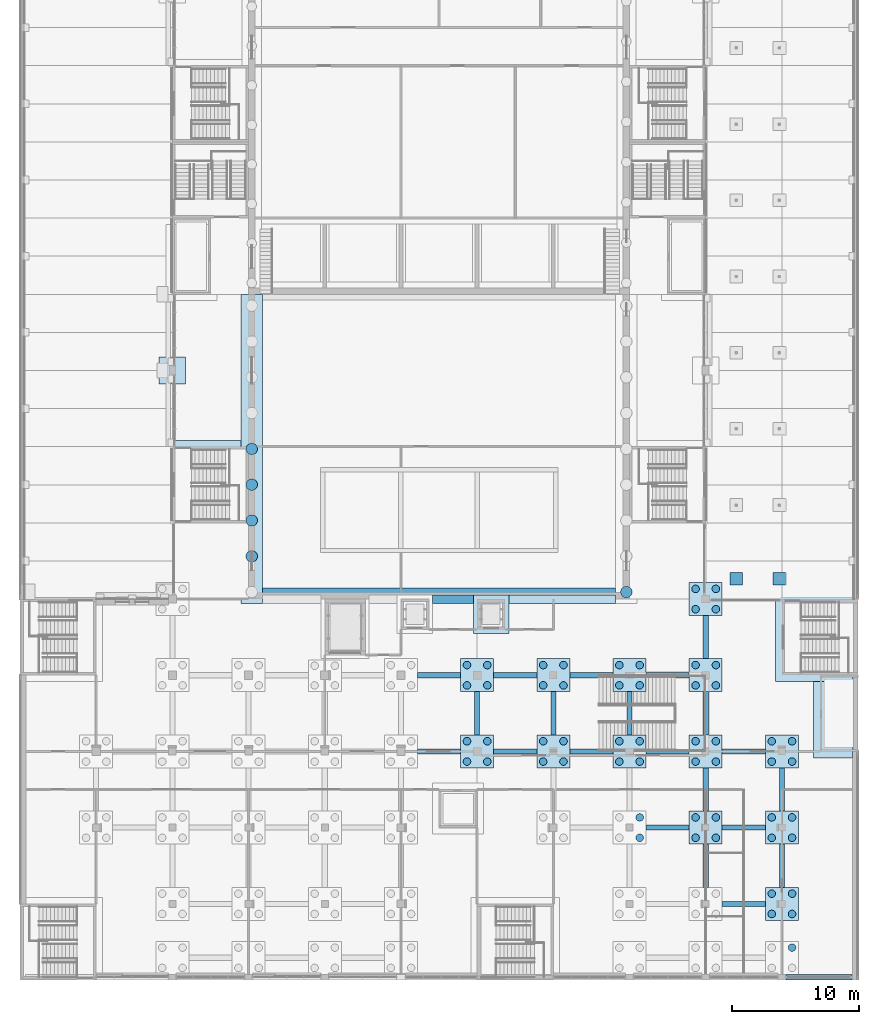
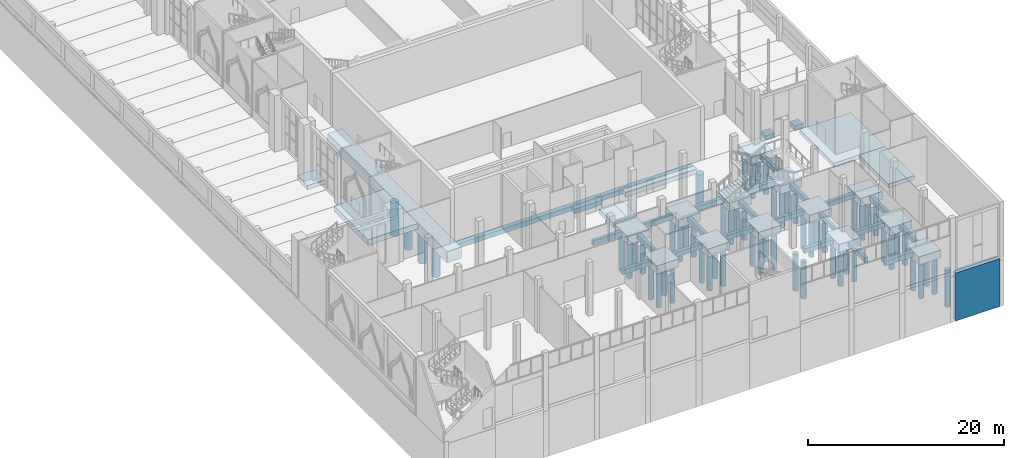
# One storey, part 3 of 95: 60 piles, 46 footings.
"""IFC4 building model written with IfcOpenShell, lengths in metres."""

from ifc_helpers import new_model, si_unit, direction, frame, origin, origin_2d, place, context, subcontext, project, spatial, polyline, rectangle, circle, outline, extrude, material, material_profile, profile_set, type_object, element, save


model = new_model("IFC4")

# Units and contexts
model_context = context("Model", 3, precision=1e-05, world=origin(), true_north=direction((0.0, 1.0)))
body_context = subcontext(model_context, "Body", "Model", "MODEL_VIEW")
ifc_project = project(units=[si_unit("LENGTHUNIT", "METRE"), si_unit("AREAUNIT", "SQUARE_METRE"), si_unit("VOLUMEUNIT", "CUBIC_METRE"), si_unit("PLANEANGLEUNIT", "RADIAN"), si_unit("MASSUNIT", "GRAM", prefix="KILO")], contexts=[model_context])

# Site, building, storey
site_placement = place(None, origin())
site = spatial("IfcSite", under=ifc_project, at=site_placement, CompositionType="ELEMENT")
building_placement = place(site_placement, origin())
building = spatial("IfcBuilding", under=site, at=building_placement, Name="Saffron Lane Theatres", CompositionType="ELEMENT")
storey_placement = place(building_placement, origin())
storey = spatial("IfcBuildingStorey", under=building, at=storey_placement, Name="L00", CompositionType="ELEMENT", Elevation=0.0)

# Footings
ifc_material_1 = material(Name="Concrete N40 (40 MPa)", Category="concrete")
footing_type_1 = type_object("IfcFootingType", Name="FT-CAP 2600x2600x1000", PredefinedType="PILE_CAP", material=ifc_material_1)
footing_1_placement = place(storey_placement, frame((0.0, 0.0, -1.300048828125)))
element("IfcFooting", 1, at=footing_1_placement, inside=storey, type_object=footing_type_1, Name="foot-cap-L2", PredefinedType="PILE_CAP", context=body_context, shape_type="SweptSolid", body=[
    extrude(outline(polyline([(58.699951171875, 4.699951171875), (61.300048828125, 4.699951171875), (61.300048828125, 7.300048828125), (58.699951171875, 7.300048828125), (58.699951171875, 4.699951171875)])), origin(), (0.0, 0.0, 1.0), 1.0),
])
footing_2_placement = place(storey_placement, frame((0.0, 0.0, -1.300048828125)))
element("IfcFooting", 2, at=footing_2_placement, inside=storey, type_object=footing_type_1, Name="foot-cap-K3", PredefinedType="PILE_CAP", context=body_context, shape_type="SweptSolid", body=[
    extrude(outline(polyline([(52.699951171875, 10.699951171875), (55.300048828125, 10.699951171875), (55.300048828125, 13.300048828125), (52.699951171875, 13.300048828125), (52.699951171875, 10.699951171875)])), origin(), (0.0, 0.0, 1.0), 1.0),
])
footing_3_placement = place(storey_placement, frame((0.0, 0.0, -1.300048828125)))
element("IfcFooting", 3, at=footing_3_placement, inside=storey, type_object=footing_type_1, Name="foot-cap-L3", PredefinedType="PILE_CAP", context=body_context, shape_type="SweptSolid", body=[
    extrude(outline(polyline([(58.699951171875, 10.699951171875), (61.300048828125, 10.699951171875), (61.300048828125, 13.300048828125), (58.699951171875, 13.300048828125), (58.699951171875, 10.699951171875)])), origin(), (0.0, 0.0, 1.0), 1.0),
])
footing_4_placement = place(storey_placement, frame((0.0, 0.0, -1.300048828125)))
element("IfcFooting", 4, at=footing_4_placement, inside=storey, type_object=footing_type_1, Name="foot-cap-G4", PredefinedType="PILE_CAP", context=body_context, shape_type="SweptSolid", body=[
    extrude(outline(polyline([(34.699951171875, 16.699951171875), (37.300048828125, 16.699951171875), (37.300048828125, 19.300048828125), (34.699951171875, 19.300048828125), (34.699951171875, 16.699951171875)])), origin(), (0.0, 0.0, 1.0), 1.0),
])
footing_5_placement = place(storey_placement, frame((0.0, 0.0, -1.300048828125)))
element("IfcFooting", 5, at=footing_5_placement, inside=storey, type_object=footing_type_1, Name="foot-cap-H4", PredefinedType="PILE_CAP", context=body_context, shape_type="SweptSolid", body=[
    extrude(outline(polyline([(40.699951171875, 16.699951171875), (43.300048828125, 16.699951171875), (43.300048828125, 19.300048828125), (40.699951171875, 19.300048828125), (40.699951171875, 16.699951171875)])), origin(), (0.0, 0.0, 1.0), 1.0),
])
footing_6_placement = place(storey_placement, frame((0.0, 0.0, -1.300048828125)))
element("IfcFooting", 6, at=footing_6_placement, inside=storey, type_object=footing_type_1, Name="foot-cap-J4", PredefinedType="PILE_CAP", context=body_context, shape_type="SweptSolid", body=[
    extrude(outline(polyline([(46.699951171875, 16.699951171875), (49.300048828125, 16.699951171875), (49.300048828125, 19.300048828125), (46.699951171875, 19.300048828125), (46.699951171875, 16.699951171875)])), origin(), (0.0, 0.0, 1.0), 1.0),
])
footing_7_placement = place(storey_placement, frame((0.0, 0.0, -1.300048828125)))
element("IfcFooting", 7, at=footing_7_placement, inside=storey, type_object=footing_type_1, Name="foot-cap-K4", PredefinedType="PILE_CAP", context=body_context, shape_type="SweptSolid", body=[
    extrude(outline(polyline([(52.699951171875, 16.699951171875), (55.300048828125, 16.699951171875), (55.300048828125, 19.300048828125), (52.699951171875, 19.300048828125), (52.699951171875, 16.699951171875)])), origin(), (0.0, 0.0, 1.0), 1.0),
])
footing_8_placement = place(storey_placement, frame((0.0, 0.0, -1.300048828125)))
element("IfcFooting", 8, at=footing_8_placement, inside=storey, type_object=footing_type_1, Name="foot-cap-L4", PredefinedType="PILE_CAP", context=body_context, shape_type="SweptSolid", body=[
    extrude(outline(polyline([(58.699951171875, 16.699951171875), (61.300048828125, 16.699951171875), (61.300048828125, 19.300048828125), (58.699951171875, 19.300048828125), (58.699951171875, 16.699951171875)])), origin(), (0.0, 0.0, 1.0), 1.0),
])
footing_9_placement = place(storey_placement, frame((0.0, 0.0, -1.300048828125)))
element("IfcFooting", 9, at=footing_9_placement, inside=storey, type_object=footing_type_1, Name="foot-cap-G5", PredefinedType="PILE_CAP", context=body_context, shape_type="SweptSolid", body=[
    extrude(outline(polyline([(34.699951171875, 22.699951171875), (37.300048828125, 22.699951171875), (37.300048828125, 25.300048828125), (34.699951171875, 25.300048828125), (34.699951171875, 22.699951171875)])), origin(), (0.0, 0.0, 1.0), 1.0),
])
footing_10_placement = place(storey_placement, frame((0.0, 0.0, -1.300048828125)))
element("IfcFooting", 10, at=footing_10_placement, inside=storey, type_object=footing_type_1, Name="foot-cap-H5", PredefinedType="PILE_CAP", context=body_context, shape_type="SweptSolid", body=[
    extrude(outline(polyline([(40.699951171875, 22.699951171875), (43.300048828125, 22.699951171875), (43.300048828125, 25.300048828125), (40.699951171875, 25.300048828125), (40.699951171875, 22.699951171875)])), origin(), (0.0, 0.0, 1.0), 1.0),
])
footing_11_placement = place(storey_placement, frame((0.0, 0.0, -1.300048828125)))
element("IfcFooting", 11, at=footing_11_placement, inside=storey, type_object=footing_type_1, Name="foot-cap-J5", PredefinedType="PILE_CAP", context=body_context, shape_type="SweptSolid", body=[
    extrude(outline(polyline([(46.699951171875, 22.699951171875), (49.300048828125, 22.699951171875), (49.300048828125, 25.300048828125), (46.699951171875, 25.300048828125), (46.699951171875, 22.699951171875)])), origin(), (0.0, 0.0, 1.0), 1.0),
])
footing_12_placement = place(storey_placement, frame((0.0, 0.0, -1.300048828125)))
element("IfcFooting", 12, at=footing_12_placement, inside=storey, type_object=footing_type_1, Name="foot-cap-K5", PredefinedType="PILE_CAP", context=body_context, shape_type="SweptSolid", body=[
    extrude(outline(polyline([(52.699951171875, 22.699951171875), (55.300048828125, 22.699951171875), (55.300048828125, 25.300048828125), (52.699951171875, 25.300048828125), (52.699951171875, 22.699951171875)])), origin(), (0.0, 0.0, 1.0), 1.0),
])
footing_13_placement = place(storey_placement, frame((0.0, 0.0, -1.300048828125)))
element("IfcFooting", 13, at=footing_13_placement, inside=storey, type_object=footing_type_1, Name="foot-cap-K6", PredefinedType="PILE_CAP", context=body_context, shape_type="SweptSolid", body=[
    extrude(outline(polyline([(52.699951171875, 28.699951171875), (55.300048828125, 28.699951171875), (55.300048828125, 31.300048828125), (52.699951171875, 31.300048828125), (52.699951171875, 28.699951171875)])), origin(), (0.0, 0.0, 1.0), 1.0),
])
ifc_material_2 = material(Name="Concrete N40 (40 MPa)", Category="concrete")
footing_type_2 = type_object("IfcFootingType", Name="FT-CAP STRIP 1700x1400", PredefinedType="PILE_CAP", material=ifc_material_2)
footing_14_placement = place(storey_placement, frame((0.0, 0.0, -1.699951171875)))
element("IfcFooting", 14, at=footing_14_placement, inside=storey, type_object=footing_type_2, Name="foot-cap-stage-W", PredefinedType="PILE_CAP", context=body_context, shape_type="SweptSolid", body=[
    extrude(outline(polyline([(17.39990234375, 29.64990234375), (19.10009765625, 29.64990234375), (19.10009765625, 54.0), (17.39990234375, 54.0), (17.39990234375, 29.64990234375)])), origin(), (0.0, 0.0, 1.0), 1.39990234375),
])
ifc_material_3 = material(Name="Concrete N40 (40 MPa)", Category="concrete")
footing_type_3 = type_object("IfcFootingType", Name="FT-KERB PERIMETER 450", PredefinedType="STRIP_FOOTING", material=ifc_material_3)
footing_15_placement = place(storey_placement, frame((0.0, 0.0, -6.0)))
element("IfcFooting", 15, at=footing_15_placement, inside=storey, type_object=footing_type_3, Name="Perimeter foundation wall", PredefinedType="STRIP_FOOTING", context=body_context, shape_type="SweptSolid", body=[
    extrude(outline(polyline([(60.304931640625, 0.450439453125), (60.304931640625, 0.00048828125), (65.534912109375, 0.00048828125), (65.534912109375, 0.450439453125), (60.304931640625, 0.450439453125)])), origin(), (0.0, 0.0, 1.0), 6.0),
])
ifc_material_4 = material(Name="Concrete N40 (40 MPa)", Category="concrete")
footing_type_4 = type_object("IfcFootingType", Name="FT-PAD 2100x2100x550", PredefinedType="PAD_FOOTING", material=ifc_material_4)
footing_16_placement = place(storey_placement, frame((0.0, 0.0, -0.85009765625)))
element("IfcFooting", 16, at=footing_16_placement, inside=storey, type_object=footing_type_4, Name="foot-pad-C9", PredefinedType="PAD_FOOTING", context=body_context, shape_type="SweptSolid", body=[
    extrude(outline(polyline([(10.949951171875, 46.949951171875), (13.050048828125, 46.949951171875), (13.050048828125, 49.050048828125), (10.949951171875, 49.050048828125), (10.949951171875, 46.949951171875)])), origin(), (0.0, 0.0, 1.0), 0.550048828125),
])

# Piles
ifc_material_5 = material(Name="Concrete N40 (40 MPa)", Category="concrete")
ifc_material_profile_1 = material_profile(ifc_material_5, circle(Radius=0.300048828125, at=origin_2d()))
ifc_profile_set_1 = profile_set([ifc_material_profile_1], Name="Concrete N40 (40 MPa)")
pile_type_1 = type_object("IfcPileType", Name="FT-PILE BORED 600", PredefinedType="BORED", material=ifc_profile_set_1)
for number, where, z_axis, x_axis, name in (
    (17, (60.800048828125, 2.550537109375, -1.199951171875), (0.0, 0.0, -1.0), (1.0, 0.0, 0.0), "pile-L1-4"),
    (18, (59.199951171875, 5.199951171875, -1.199951171875), (0.0, 0.0, -1.0), (1.0, 0.0, 0.0), "pile-L2-1"),
    (19, (59.199951171875, 6.800048828125, -1.199951171875), (0.0, 0.0, -1.0), (1.0, 0.0, 0.0), "pile-L2-2"),
    (20, (60.800048828125, 5.199951171875, -1.199951171875), (0.0, 0.0, -1.0), (1.0, 0.0, 0.0), "pile-L2-3"),
    (21, (60.800048828125, 6.800048828125, -1.199951171875), (0.0, 0.0, -1.0), (1.0, 0.0, 0.0), "pile-L2-4"),
    (22, (48.800048828125, 11.199951171875, -1.199951171875), (0.0, 0.0, -1.0), (1.0, 0.0, 0.0), "pile-J3-3"),
    (23, (48.800048828125, 12.800048828125, -1.199951171875), (0.0, 0.0, -1.0), (1.0, 0.0, 0.0), "pile-J3-4"),
    (24, (53.199951171875, 11.199951171875, -1.199951171875), (0.0, 0.0, -1.0), (1.0, 0.0, 0.0), "pile-K3-1"),
    (25, (53.199951171875, 12.800048828125, -1.199951171875), (0.0, 0.0, -1.0), (1.0, 0.0, 0.0), "pile-K3-2"),
    (26, (54.800048828125, 11.199951171875, -1.199951171875), (0.0, 0.0, -1.0), (1.0, 0.0, 0.0), "pile-K3-3"),
    (27, (54.800048828125, 12.800048828125, -1.199951171875), (0.0, 0.0, -1.0), (1.0, 0.0, 0.0), "pile-K3-4"),
    (28, (59.199951171875, 11.199951171875, -1.199951171875), (0.0, 0.0, -1.0), (1.0, 0.0, 0.0), "pile-L3-1"),
    (29, (59.199951171875, 12.800048828125, -1.199951171875), (0.0, 0.0, -1.0), (1.0, 0.0, 0.0), "pile-L3-2"),
    (30, (60.800048828125, 11.199951171875, -1.199951171875), (0.0, 0.0, -1.0), (1.0, 0.0, 0.0), "pile-L3-3"),
    (31, (60.800048828125, 12.800048828125, -1.199951171875), (0.0, 0.0, -1.0), (1.0, 0.0, 0.0), "pile-L3-4"),
    (32, (35.199951171875, 17.199951171875, -1.199951171875), (0.0, 0.0, -1.0), (1.0, 0.0, 0.0), "pile-G4-1"),
    (33, (35.199951171875, 18.800048828125, -1.199951171875), (0.0, 0.0, -1.0), (1.0, 0.0, 0.0), "pile-G4-2"),
    (34, (36.800048828125, 17.199951171875, -1.199951171875), (0.0, 0.0, -1.0), (1.0, 0.0, 0.0), "pile-G4-3"),
    (35, (36.800048828125, 18.800048828125, -1.199951171875), (0.0, 0.0, -1.0), (1.0, 0.0, 0.0), "pile-G4-4"),
    (36, (41.199951171875, 17.199951171875, -1.199951171875), (0.0, 0.0, -1.0), (1.0, 0.0, 0.0), "pile-H4-1"),
    (37, (41.199951171875, 18.800048828125, -1.199951171875), (0.0, 0.0, -1.0), (1.0, 0.0, 0.0), "pile-H4-2"),
    (38, (42.800048828125, 17.199951171875, -1.199951171875), (0.0, 0.0, -1.0), (1.0, 0.0, 0.0), "pile-H4-3"),
    (39, (42.800048828125, 18.800048828125, -1.199951171875), (0.0, 0.0, -1.0), (1.0, 0.0, 0.0), "pile-H4-4"),
    (40, (47.199951171875, 17.199951171875, -1.199951171875), (0.0, 0.0, -1.0), (1.0, 0.0, 0.0), "pile-J4-1"),
    (41, (47.199951171875, 18.800048828125, -1.199951171875), (0.0, 0.0, -1.0), (1.0, 0.0, 0.0), "pile-J4-2"),
    (42, (48.800048828125, 17.199951171875, -1.199951171875), (0.0, 0.0, -1.0), (1.0, 0.0, 0.0), "pile-J4-3"),
    (43, (48.800048828125, 18.800048828125, -1.199951171875), (0.0, 0.0, -1.0), (1.0, 0.0, 0.0), "pile-J4-4"),
    (44, (53.199951171875, 17.199951171875, -1.199951171875), (0.0, 0.0, -1.0), (1.0, 0.0, 0.0), "pile-K4-1"),
    (45, (53.199951171875, 18.800048828125, -1.199951171875), (0.0, 0.0, -1.0), (1.0, 0.0, 0.0), "pile-K4-2"),
    (46, (54.800048828125, 17.199951171875, -1.199951171875), (0.0, 0.0, -1.0), (1.0, 0.0, 0.0), "pile-K4-3"),
    (47, (54.800048828125, 18.800048828125, -1.199951171875), (0.0, 0.0, -1.0), (1.0, 0.0, 0.0), "pile-K4-4"),
    (48, (59.199951171875, 17.199951171875, -1.199951171875), (0.0, 0.0, -1.0), (1.0, 0.0, 0.0), "pile-L4-1"),
    (49, (59.199951171875, 18.800048828125, -1.199951171875), (0.0, 0.0, -1.0), (1.0, 0.0, 0.0), "pile-L4-2"),
    (50, (60.800048828125, 17.199951171875, -1.199951171875), (0.0, 0.0, -1.0), (1.0, 0.0, 0.0), "pile-L4-3"),
    (51, (60.800048828125, 18.800048828125, -1.199951171875), (0.0, 0.0, -1.0), (1.0, 0.0, 0.0), "pile-L4-4"),
    (52, (35.199951171875, 23.199951171875, -1.199951171875), (0.0, 0.0, -1.0), (1.0, 0.0, 0.0), "pile-G5-1"),
    (53, (35.199951171875, 24.800048828125, -1.199951171875), (0.0, 0.0, -1.0), (1.0, 0.0, 0.0), "pile-G5-2"),
    (54, (36.800048828125, 23.199951171875, -1.199951171875), (0.0, 0.0, -1.0), (1.0, 0.0, 0.0), "pile-G5-3"),
    (55, (36.800048828125, 24.800048828125, -1.199951171875), (0.0, 0.0, -1.0), (1.0, 0.0, 0.0), "pile-G5-4"),
    (56, (41.199951171875, 23.199951171875, -1.199951171875), (0.0, 0.0, -1.0), (1.0, 0.0, 0.0), "pile-H5-1"),
    (57, (41.199951171875, 24.800048828125, -1.199951171875), (0.0, 0.0, -1.0), (1.0, 0.0, 0.0), "pile-H5-2"),
    (58, (42.800048828125, 23.199951171875, -1.199951171875), (0.0, 0.0, -1.0), (1.0, 0.0, 0.0), "pile-H5-3"),
    (59, (42.800048828125, 24.800048828125, -1.199951171875), (0.0, 0.0, -1.0), (1.0, 0.0, 0.0), "pile-H5-4"),
    (60, (47.199951171875, 23.199951171875, -1.199951171875), (0.0, 0.0, -1.0), (1.0, 0.0, 0.0), "pile-J5-1"),
    (61, (47.199951171875, 24.800048828125, -1.199951171875), (0.0, 0.0, -1.0), (1.0, 0.0, 0.0), "pile-J5-2"),
    (62, (48.800048828125, 23.199951171875, -1.199951171875), (0.0, 0.0, -1.0), (1.0, 0.0, 0.0), "pile-J5-3"),
    (63, (48.800048828125, 24.800048828125, -1.199951171875), (0.0, 0.0, -1.0), (1.0, 0.0, 0.0), "pile-J5-4"),
    (64, (53.199951171875, 23.199951171875, -1.199951171875), (0.0, 0.0, -1.0), (1.0, 0.0, 0.0), "pile-K5-1"),
    (65, (53.199951171875, 24.800048828125, -1.199951171875), (0.0, 0.0, -1.0), (1.0, 0.0, 0.0), "pile-K5-2"),
    (66, (54.800048828125, 23.199951171875, -1.199951171875), (0.0, 0.0, -1.0), (1.0, 0.0, 0.0), "pile-K5-3"),
    (67, (54.800048828125, 24.800048828125, -1.199951171875), (0.0, 0.0, -1.0), (1.0, 0.0, 0.0), "pile-K5-4"),
    (68, (53.199951171875, 29.199951171875, -1.199951171875), (0.0, 0.0, -1.0), (1.0, 0.0, 0.0), "pile-K6-1"),
    (69, (53.199951171875, 30.800048828125, -1.199951171875), (0.0, 0.0, -1.0), (1.0, 0.0, 0.0), "pile-K6-2"),
    (70, (54.800048828125, 29.199951171875, -1.199951171875), (0.0, 0.0, -1.0), (1.0, 0.0, 0.0), "pile-K6-3"),
    (71, (54.800048828125, 30.800048828125, -1.199951171875), (0.0, 0.0, -1.0), (1.0, 0.0, 0.0), "pile-K6-4"),
):
    element("IfcPile", number, at=place(storey_placement, frame(where, z_axis=z_axis, x_axis=x_axis)), inside=storey, type_object=pile_type_1, Name=name, PredefinedType="BORED", context=body_context, shape_type="SweptSolid", body=[
        extrude(circle(Radius=0.300048828125, at=origin_2d()), origin(), (0.0, 0.0, 1.0), 4.60009765625),
    ])
ifc_material_6 = material(Name="Concrete N40 (40 MPa)", Category="concrete")
ifc_material_profile_2 = material_profile(ifc_material_6, circle(Radius=0.449951171875, at=origin_2d()))
ifc_profile_set_2 = profile_set([ifc_material_profile_2], Name="Concrete N40 (40 MPa)")
pile_type_2 = type_object("IfcPileType", Name="FT-PILE BORED 900", PredefinedType="BORED", material=ifc_profile_set_2)
for number, where, z_axis, x_axis, name in (
    (72, (18.25, 33.36865234375, -1.60009765625), (0.0, 0.0, -1.0), (1.0, 0.0, 0.0), "pile-foot-cap-stage-W-2"),
    (73, (18.25, 36.1875, -1.60009765625), (0.0, 0.0, -1.0), (1.0, 0.0, 0.0), "pile-foot-cap-stage-W-3"),
    (74, (18.25, 39.006103515625, -1.60009765625), (0.0, 0.0, -1.0), (1.0, 0.0, 0.0), "pile-foot-cap-stage-W-4"),
    (75, (18.25, 41.824951171875, -1.60009765625), (0.0, 0.0, -1.0), (1.0, 0.0, 0.0), "pile-foot-cap-stage-W-5"),
    (76, (47.75, 30.550048828125, -1.60009765625), (0.0, 0.0, -1.0), (1.0, 0.0, 0.0), "pile-foot-cap-stage-E-1"),
):
    element("IfcPile", number, at=place(storey_placement, frame(where, z_axis=z_axis, x_axis=x_axis)), inside=storey, type_object=pile_type_2, Name=name, PredefinedType="BORED", context=body_context, shape_type="SweptSolid", body=[
        extrude(circle(Radius=0.449951171875, at=origin_2d()), origin(), (0.0, 0.0, 1.0), 4.199951171875),
    ])

# Footings
ifc_material_7 = material(Name="Concrete N40 (40 MPa)", Category="concrete")
footing_type_5 = type_object("IfcFootingType", Name="FT-RAFT CORE 500", PredefinedType="PAD_FOOTING", material=ifc_material_7)
footing_17_placement = place(storey_placement, frame((0.0, 0.0, -0.800048828125)))
element("IfcFooting", 77, at=footing_17_placement, inside=storey, type_object=footing_type_5, Name="foot-raft-4", PredefinedType="PAD_FOOTING", context=body_context, shape_type="SweptSolid", body=[
    extrude(outline(polyline([(62.5, 17.5), (65.549560546875, 17.5), (65.549560546875, 23.5), (62.5, 23.5), (62.5, 17.5)])), origin(), (0.0, 0.0, 1.0), 0.5),
])
footing_18_placement = place(storey_placement, frame((0.0, 0.0, -0.800048828125)))
element("IfcFooting", 78, at=footing_18_placement, inside=storey, type_object=footing_type_5, Name="foot-raft-5", PredefinedType="PAD_FOOTING", context=body_context, shape_type="SweptSolid", body=[
    extrude(outline(polyline([(59.5, 23.5), (65.549560546875, 23.5), (65.549560546875, 30.5), (59.5, 30.5), (59.5, 23.5)])), origin(), (0.0, 0.0, 1.0), 0.5),
])
ifc_material_8 = material(Name="Concrete N40 (40 MPa)", Category="concrete")
footing_type_6 = type_object("IfcFootingType", Name="FT-RAFT CORE 700", PredefinedType="PAD_FOOTING", material=ifc_material_8)
footing_19_placement = place(storey_placement, frame((0.0, 0.0, -1.0)))
element("IfcFooting", 79, at=footing_19_placement, inside=storey, type_object=footing_type_6, Name="foot-raft-7", PredefinedType="PAD_FOOTING", context=body_context, shape_type="SweptSolid", body=[
    extrude(outline(polyline([(11.5, 35.5), (17.39990234375, 35.5), (17.39990234375, 42.5), (11.5, 42.5), (11.5, 35.5)])), origin(), (0.0, 0.0, 1.0), 0.699951171875),
])
ifc_material_9 = material(Name="Concrete N40 (40 MPa)", Category="concrete")
footing_type_7 = type_object("IfcFootingType", Name="FT-RAFT PIT 600", PredefinedType="PAD_FOOTING", material=ifc_material_9)
footing_20_placement = place(storey_placement, frame((0.0, 0.0, -2.300048828125)))
element("IfcFooting", 80, at=footing_20_placement, inside=storey, type_object=footing_type_7, Name="foot-pit-LC6", PredefinedType="PAD_FOOTING", context=body_context, shape_type="SweptSolid", body=[
    extrude(outline(polyline([(35.699951171875, 30.300048828125), (35.699951171875, 27.300048828125), (38.5, 27.300048828125), (38.5, 30.300048828125), (35.699951171875, 30.300048828125)])), origin(), (0.0, 0.0, 1.0), 0.60009765625),
])
ifc_material_10 = material(Name="Concrete N40 (40 MPa)", Category="concrete")
footing_type_8 = type_object("IfcFootingType", Name="FT-STRIP 1200x600", PredefinedType="STRIP_FOOTING", material=ifc_material_10)
footing_21_placement = place(storey_placement, frame((0.0, 0.0, -0.89990234375)))
element("IfcFooting", 81, at=footing_21_placement, inside=storey, type_object=footing_type_8, Name="foot-strip-back-1", PredefinedType="STRIP_FOOTING", context=body_context, shape_type="SweptSolid", body=[
    extrude(outline(polyline([(38.5, 29.64990234375), (46.89990234375, 29.64990234375), (46.89990234375, 30.300048828125), (38.5, 30.300048828125), (38.5, 29.64990234375)])), origin(), (0.0, 0.0, 1.0), 0.599853515625),
])
footing_22_placement = place(storey_placement, frame((0.0, 0.0, -0.89990234375)))
element("IfcFooting", 82, at=footing_22_placement, inside=storey, type_object=footing_type_8, Name="foot-strip-back-2", PredefinedType="STRIP_FOOTING", context=body_context, shape_type="SweptSolid", body=[
    extrude(outline(polyline([(32.5, 29.64990234375), (35.699951171875, 29.64990234375), (35.699951171875, 30.300048828125), (32.5, 30.300048828125), (32.5, 29.64990234375)])), origin(), (0.0, 0.0, 1.0), 0.599853515625),
])
footing_23_placement = place(storey_placement, frame((0.0, 0.0, -0.89990234375)))
element("IfcFooting", 83, at=footing_23_placement, inside=storey, type_object=footing_type_8, Name="foot-strip-back-5", PredefinedType="STRIP_FOOTING", context=body_context, shape_type="SweptSolid", body=[
    extrude(outline(polyline([(19.10009765625, 30.300048828125), (46.89990234375, 30.300048828125), (46.89990234375, 30.85009765625), (19.10009765625, 30.85009765625), (19.10009765625, 30.300048828125)])), origin(), (0.0, 0.0, 1.0), 0.599853515625),
])
ifc_material_11 = material(Name="Concrete N40 (40 MPa)", Category="concrete")
footing_type_9 = type_object("IfcFootingType", Name="FT-TIE BEAM 400x600", PredefinedType="FOOTING_BEAM", material=ifc_material_11)
footing_24_placement = place(storey_placement, frame((0.0, 0.0, -0.89990234375)))
element("IfcFooting", 84, at=footing_24_placement, inside=storey, type_object=footing_type_9, Name="foot-tie-015", PredefinedType="FOOTING_BEAM", context=body_context, shape_type="SweptSolid", body=[
    extrude(outline(polyline([(55.300048828125, 5.800048828125), (58.699951171875, 5.800048828125), (58.699951171875, 6.199951171875), (55.300048828125, 6.199951171875), (55.300048828125, 5.800048828125)])), origin(), (0.0, 0.0, 1.0), 0.599853515625),
])
footing_25_placement = place(storey_placement, frame((0.0, 0.0, -0.89990234375)))
element("IfcFooting", 85, at=footing_25_placement, inside=storey, type_object=footing_type_9, Name="foot-tie-016", PredefinedType="FOOTING_BEAM", context=body_context, shape_type="SweptSolid", body=[
    extrude(outline(polyline([(53.800048828125, 7.300048828125), (54.199951171875, 7.300048828125), (54.199951171875, 10.699951171875), (53.800048828125, 10.699951171875), (53.800048828125, 7.300048828125)])), origin(), (0.0, 0.0, 1.0), 0.599853515625),
])
footing_26_placement = place(storey_placement, frame((0.0, 0.0, -0.89990234375)))
element("IfcFooting", 86, at=footing_26_placement, inside=storey, type_object=footing_type_9, Name="foot-tie-017", PredefinedType="FOOTING_BEAM", context=body_context, shape_type="SweptSolid", body=[
    extrude(outline(polyline([(59.800048828125, 7.300048828125), (60.199951171875, 7.300048828125), (60.199951171875, 10.699951171875), (59.800048828125, 10.699951171875), (59.800048828125, 7.300048828125)])), origin(), (0.0, 0.0, 1.0), 0.599853515625),
])
footing_27_placement = place(storey_placement, frame((0.0, 0.0, -0.89990234375)))
element("IfcFooting", 87, at=footing_27_placement, inside=storey, type_object=footing_type_9, Name="foot-tie-029", PredefinedType="FOOTING_BEAM", context=body_context, shape_type="SweptSolid", body=[
    extrude(outline(polyline([(49.300048828125, 11.800048828125), (52.699951171875, 11.800048828125), (52.699951171875, 12.199951171875), (49.300048828125, 12.199951171875), (49.300048828125, 11.800048828125)])), origin(), (0.0, 0.0, 1.0), 0.599853515625),
])
footing_28_placement = place(storey_placement, frame((0.0, 0.0, -0.89990234375)))
element("IfcFooting", 88, at=footing_28_placement, inside=storey, type_object=footing_type_9, Name="foot-tie-031", PredefinedType="FOOTING_BEAM", context=body_context, shape_type="SweptSolid", body=[
    extrude(outline(polyline([(55.300048828125, 11.800048828125), (58.699951171875, 11.800048828125), (58.699951171875, 12.199951171875), (55.300048828125, 12.199951171875), (55.300048828125, 11.800048828125)])), origin(), (0.0, 0.0, 1.0), 0.599853515625),
])
footing_29_placement = place(storey_placement, frame((0.0, 0.0, -0.89990234375)))
element("IfcFooting", 89, at=footing_29_placement, inside=storey, type_object=footing_type_9, Name="foot-tie-032", PredefinedType="FOOTING_BEAM", context=body_context, shape_type="SweptSolid", body=[
    extrude(outline(polyline([(53.800048828125, 13.300048828125), (54.199951171875, 13.300048828125), (54.199951171875, 16.699951171875), (53.800048828125, 16.699951171875), (53.800048828125, 13.300048828125)])), origin(), (0.0, 0.0, 1.0), 0.599853515625),
])
footing_30_placement = place(storey_placement, frame((0.0, 0.0, -0.89990234375)))
element("IfcFooting", 90, at=footing_30_placement, inside=storey, type_object=footing_type_9, Name="foot-tie-033", PredefinedType="FOOTING_BEAM", context=body_context, shape_type="SweptSolid", body=[
    extrude(outline(polyline([(59.800048828125, 13.300048828125), (60.199951171875, 13.300048828125), (60.199951171875, 16.699951171875), (59.800048828125, 16.699951171875), (59.800048828125, 13.300048828125)])), origin(), (0.0, 0.0, 1.0), 0.599853515625),
])
footing_31_placement = place(storey_placement, frame((0.0, 0.0, -0.89990234375)))
element("IfcFooting", 91, at=footing_31_placement, inside=storey, type_object=footing_type_9, Name="foot-tie-041", PredefinedType="FOOTING_BEAM", context=body_context, shape_type="SweptSolid", body=[
    extrude(outline(polyline([(31.300048828125, 17.800048828125), (34.699951171875, 17.800048828125), (34.699951171875, 18.199951171875), (31.300048828125, 18.199951171875), (31.300048828125, 17.800048828125)])), origin(), (0.0, 0.0, 1.0), 0.599853515625),
])
footing_32_placement = place(storey_placement, frame((0.0, 0.0, -0.89990234375)))
element("IfcFooting", 92, at=footing_32_placement, inside=storey, type_object=footing_type_9, Name="foot-tie-043", PredefinedType="FOOTING_BEAM", context=body_context, shape_type="SweptSolid", body=[
    extrude(outline(polyline([(37.300048828125, 17.800048828125), (40.699951171875, 17.800048828125), (40.699951171875, 18.199951171875), (37.300048828125, 18.199951171875), (37.300048828125, 17.800048828125)])), origin(), (0.0, 0.0, 1.0), 0.599853515625),
])
footing_33_placement = place(storey_placement, frame((0.0, 0.0, -0.89990234375)))
element("IfcFooting", 93, at=footing_33_placement, inside=storey, type_object=footing_type_9, Name="foot-tie-044", PredefinedType="FOOTING_BEAM", context=body_context, shape_type="SweptSolid", body=[
    extrude(outline(polyline([(35.800048828125, 19.300048828125), (36.199951171875, 19.300048828125), (36.199951171875, 22.699951171875), (35.800048828125, 22.699951171875), (35.800048828125, 19.300048828125)])), origin(), (0.0, 0.0, 1.0), 0.599853515625),
])
footing_34_placement = place(storey_placement, frame((0.0, 0.0, -0.89990234375)))
element("IfcFooting", 94, at=footing_34_placement, inside=storey, type_object=footing_type_9, Name="foot-tie-045", PredefinedType="FOOTING_BEAM", context=body_context, shape_type="SweptSolid", body=[
    extrude(outline(polyline([(43.300048828125, 17.800048828125), (46.699951171875, 17.800048828125), (46.699951171875, 18.199951171875), (43.300048828125, 18.199951171875), (43.300048828125, 17.800048828125)])), origin(), (0.0, 0.0, 1.0), 0.599853515625),
])
footing_35_placement = place(storey_placement, frame((0.0, 0.0, -0.89990234375)))
element("IfcFooting", 95, at=footing_35_placement, inside=storey, type_object=footing_type_9, Name="foot-tie-046", PredefinedType="FOOTING_BEAM", context=body_context, shape_type="SweptSolid", body=[
    extrude(outline(polyline([(41.800048828125, 19.300048828125), (42.199951171875, 19.300048828125), (42.199951171875, 22.699951171875), (41.800048828125, 22.699951171875), (41.800048828125, 19.300048828125)])), origin(), (0.0, 0.0, 1.0), 0.599853515625),
])
footing_36_placement = place(storey_placement, frame((0.0, 0.0, -0.89990234375)))
element("IfcFooting", 96, at=footing_36_placement, inside=storey, type_object=footing_type_9, Name="foot-tie-047", PredefinedType="FOOTING_BEAM", context=body_context, shape_type="SweptSolid", body=[
    extrude(outline(polyline([(49.300048828125, 17.800048828125), (52.699951171875, 17.800048828125), (52.699951171875, 18.199951171875), (49.300048828125, 18.199951171875), (49.300048828125, 17.800048828125)])), origin(), (0.0, 0.0, 1.0), 0.599853515625),
])
footing_37_placement = place(storey_placement, frame((0.0, 0.0, -0.89990234375)))
element("IfcFooting", 97, at=footing_37_placement, inside=storey, type_object=footing_type_9, Name="foot-tie-048", PredefinedType="FOOTING_BEAM", context=body_context, shape_type="SweptSolid", body=[
    extrude(outline(polyline([(47.800048828125, 19.300048828125), (48.199951171875, 19.300048828125), (48.199951171875, 22.699951171875), (47.800048828125, 22.699951171875), (47.800048828125, 19.300048828125)])), origin(), (0.0, 0.0, 1.0), 0.599853515625),
])
footing_38_placement = place(storey_placement, frame((0.0, 0.0, -0.89990234375)))
element("IfcFooting", 98, at=footing_38_placement, inside=storey, type_object=footing_type_9, Name="foot-tie-049", PredefinedType="FOOTING_BEAM", context=body_context, shape_type="SweptSolid", body=[
    extrude(outline(polyline([(55.300048828125, 17.800048828125), (58.699951171875, 17.800048828125), (58.699951171875, 18.199951171875), (55.300048828125, 18.199951171875), (55.300048828125, 17.800048828125)])), origin(), (0.0, 0.0, 1.0), 0.599853515625),
])
footing_39_placement = place(storey_placement, frame((0.0, 0.0, -0.89990234375)))
element("IfcFooting", 99, at=footing_39_placement, inside=storey, type_object=footing_type_9, Name="foot-tie-050", PredefinedType="FOOTING_BEAM", context=body_context, shape_type="SweptSolid", body=[
    extrude(outline(polyline([(53.800048828125, 19.300048828125), (54.199951171875, 19.300048828125), (54.199951171875, 22.699951171875), (53.800048828125, 22.699951171875), (53.800048828125, 19.300048828125)])), origin(), (0.0, 0.0, 1.0), 0.599853515625),
])
footing_40_placement = place(storey_placement, frame((0.0, 0.0, -0.89990234375)))
element("IfcFooting", 100, at=footing_40_placement, inside=storey, type_object=footing_type_9, Name="foot-tie-055", PredefinedType="FOOTING_BEAM", context=body_context, shape_type="SweptSolid", body=[
    extrude(outline(polyline([(31.300048828125, 23.800048828125), (34.699951171875, 23.800048828125), (34.699951171875, 24.199951171875), (31.300048828125, 24.199951171875), (31.300048828125, 23.800048828125)])), origin(), (0.0, 0.0, 1.0), 0.599853515625),
])
footing_41_placement = place(storey_placement, frame((0.0, 0.0, -0.89990234375)))
element("IfcFooting", 101, at=footing_41_placement, inside=storey, type_object=footing_type_9, Name="foot-tie-056", PredefinedType="FOOTING_BEAM", context=body_context, shape_type="SweptSolid", body=[
    extrude(outline(polyline([(37.300048828125, 23.800048828125), (40.699951171875, 23.800048828125), (40.699951171875, 24.199951171875), (37.300048828125, 24.199951171875), (37.300048828125, 23.800048828125)])), origin(), (0.0, 0.0, 1.0), 0.599853515625),
])
footing_42_placement = place(storey_placement, frame((0.0, 0.0, -0.89990234375)))
element("IfcFooting", 102, at=footing_42_placement, inside=storey, type_object=footing_type_9, Name="foot-tie-057", PredefinedType="FOOTING_BEAM", context=body_context, shape_type="SweptSolid", body=[
    extrude(outline(polyline([(43.300048828125, 23.800048828125), (46.699951171875, 23.800048828125), (46.699951171875, 24.199951171875), (43.300048828125, 24.199951171875), (43.300048828125, 23.800048828125)])), origin(), (0.0, 0.0, 1.0), 0.599853515625),
])
footing_43_placement = place(storey_placement, frame((0.0, 0.0, -0.89990234375)))
element("IfcFooting", 103, at=footing_43_placement, inside=storey, type_object=footing_type_9, Name="foot-tie-058", PredefinedType="FOOTING_BEAM", context=body_context, shape_type="SweptSolid", body=[
    extrude(outline(polyline([(49.300048828125, 23.800048828125), (52.699951171875, 23.800048828125), (52.699951171875, 24.199951171875), (49.300048828125, 24.199951171875), (49.300048828125, 23.800048828125)])), origin(), (0.0, 0.0, 1.0), 0.599853515625),
])
footing_44_placement = place(storey_placement, frame((0.0, 0.0, -0.89990234375)))
element("IfcFooting", 104, at=footing_44_placement, inside=storey, type_object=footing_type_9, Name="foot-tie-059", PredefinedType="FOOTING_BEAM", context=body_context, shape_type="SweptSolid", body=[
    extrude(outline(polyline([(53.800048828125, 25.300048828125), (54.199951171875, 25.300048828125), (54.199951171875, 28.699951171875), (53.800048828125, 28.699951171875), (53.800048828125, 25.300048828125)])), origin(), (0.0, 0.0, 1.0), 0.599853515625),
])
ifc_material_12 = material(Name="Concrete N40 (40 MPa)", Category="concrete")
footing_type_10 = type_object("IfcFootingType", Name="ST-CANOPY PAD", PredefinedType="PAD_FOOTING", material=ifc_material_12)
for number, where, z_axis, x_axis, name in (
    (105, (56.39990234375, 31.60009765625, -0.800048828125), (0.0, 0.0, 1.0), (1.0, 0.0, 0.0), "CFW1"),
    (106, (59.800048828125, 31.60009765625, -0.800048828125), (0.0, 0.0, 1.0), (1.0, 0.0, 0.0), "CFE1"),
):
    element("IfcFooting", number, at=place(storey_placement, frame(where, z_axis=z_axis, x_axis=x_axis)), inside=storey, type_object=footing_type_10, Name=name, PredefinedType="PAD_FOOTING", context=body_context, shape_type="SweptSolid", body=[
        extrude(rectangle(XDim=1.0, YDim=1.0, at=origin_2d()), origin(), (0.0, 0.0, 1.0), 0.60009765625),
    ])

save(model, "model.ifc")
